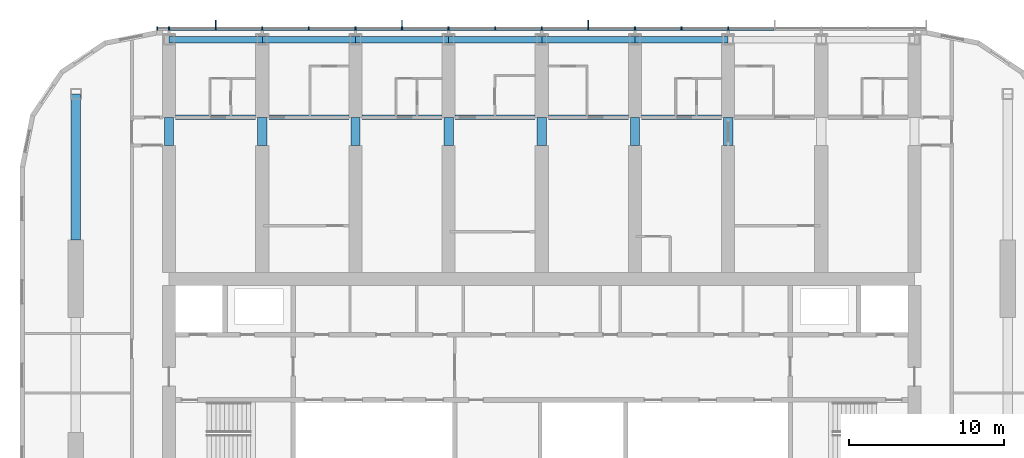
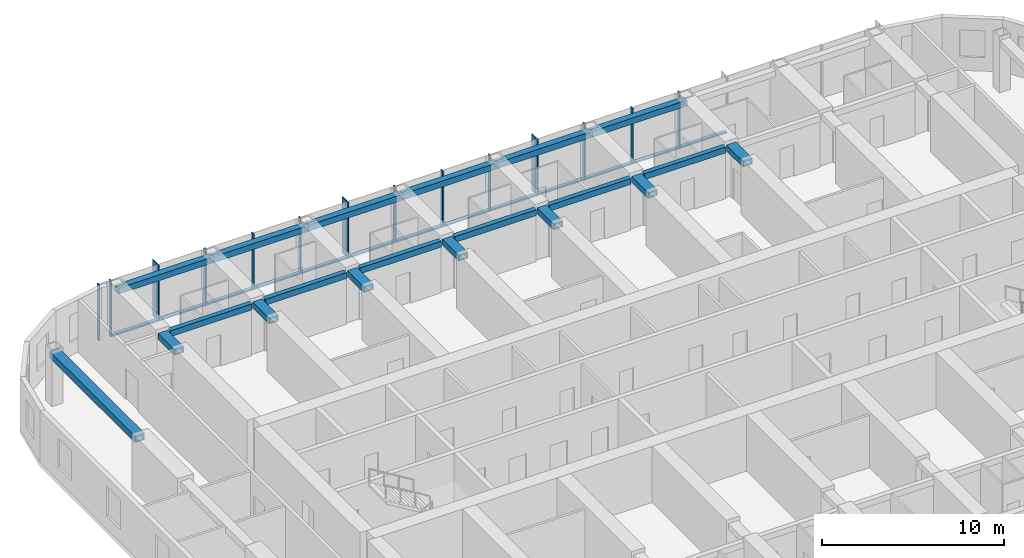
# One storey, part 4 of 22: 30 members, 20 beams, 1 element without a shape of its own.
"""IFC4 building model written with IfcOpenShell, lengths in metres."""

from ifc_helpers import new_model, si_unit, direction, frame, origin, origin_2d, place, context, subcontext, project, spatial, rectangle, hollow_rectangle, extrude, material, material_profile, profile_set, type_object, element, aggregate, save


model = new_model("IFC4")

# Units and contexts
model_context = context("Model", 3, precision=1e-05, world=origin(), true_north=direction((0.0, 1.0)))
body_context = subcontext(model_context, "Body", "Model", "MODEL_VIEW")
ifc_project = project(units=[si_unit("LENGTHUNIT", "METRE"), si_unit("AREAUNIT", "SQUARE_METRE"), si_unit("VOLUMEUNIT", "CUBIC_METRE"), si_unit("PLANEANGLEUNIT", "RADIAN"), si_unit("MASSUNIT", "GRAM", prefix="KILO")], contexts=[model_context])

# Site, building, storey
site_placement = place(None, origin())
site = spatial("IfcSite", under=ifc_project, at=site_placement, CompositionType="ELEMENT")
building_placement = place(site_placement, origin())
building = spatial("IfcBuilding", under=site, at=building_placement, Name="Orbita Commons", CompositionType="ELEMENT")
storey_placement = place(building_placement, frame((0.0, 0.0, 186.10009765625)))
storey = spatial("IfcBuildingStorey", under=building, at=storey_placement, Name="L46", CompositionType="ELEMENT", Elevation=186.10009765625)

# Curtain wall, members
ifc_material_1 = material(Name="Anodised aluminium frame, pale silver", Category="aluminium")
curtain_wall_type = type_object("IfcCurtainWallType", Name="Unitised curtain wall CW-U, full-height vision", PredefinedType="NOTDEFINED", material=ifc_material_1)
curtain_wall_placement = place(storey_placement, origin())
curtain_wall = element("IfcCurtainWall", 1, at=curtain_wall_placement, inside=storey, type_object=curtain_wall_type, Name="Curtain wall north L46", PredefinedType="NOTDEFINED")
ifc_material_2 = material(Name="Anodised aluminium, pale silver", Category="aluminium")
ifc_material_profile_1 = material_profile(ifc_material_2, rectangle(XDim=0.080078125, YDim=0.219970703125, at=origin_2d()), Name="AL 80x220")
ifc_profile_set_1 = profile_set([ifc_material_profile_1], Name="Anodised aluminium, pale silver")
member_type_1 = type_object("IfcMemberType", Name="Curtain wall mullion 80x220", PredefinedType="MULLION", material=ifc_profile_set_1)
member_1_placement = place(storey_placement, frame((54.0, 54.31005859375, -0.25), z_axis=(0.0, 0.0, 1.0), x_axis=(-1.0, 0.0, 0.0)))
member_1 = element("IfcMember", 2, at=member_1_placement, type_object=member_type_1, Name="Mullion 6 CW-L46-N", PredefinedType="MULLION", context=body_context, shape_type="SweptSolid", body=[
    extrude(rectangle(XDim=0.080078125, YDim=0.219970703125, at=origin_2d()), origin(), (0.0, 0.0, 1.0), 3.75),
])
member_2_placement = place(storey_placement, frame((51.0, 54.31005859375, -0.25), z_axis=(0.0, 0.0, 1.0), x_axis=(-1.0, 0.0, 0.0)))
member_2 = element("IfcMember", 3, at=member_2_placement, type_object=member_type_1, Name="Mullion 7 CW-L46-N", PredefinedType="MULLION", context=body_context, shape_type="SweptSolid", body=[
    extrude(rectangle(XDim=0.080078125, YDim=0.219970703125, at=origin_2d()), origin(), (0.0, 0.0, 1.0), 3.75),
])
member_3_placement = place(storey_placement, frame((48.0, 54.31005859375, -0.25), z_axis=(0.0, 0.0, 1.0), x_axis=(-1.0, 0.0, 0.0)))
member_3 = element("IfcMember", 4, at=member_3_placement, type_object=member_type_1, Name="Mullion 8 CW-L46-N", PredefinedType="MULLION", context=body_context, shape_type="SweptSolid", body=[
    extrude(rectangle(XDim=0.080078125, YDim=0.219970703125, at=origin_2d()), origin(), (0.0, 0.0, 1.0), 3.75),
])
member_4_placement = place(storey_placement, frame((45.0, 54.31005859375, -0.25), z_axis=(0.0, 0.0, 1.0), x_axis=(-1.0, 0.0, 0.0)))
member_4 = element("IfcMember", 5, at=member_4_placement, type_object=member_type_1, Name="Mullion 9 CW-L46-N", PredefinedType="MULLION", context=body_context, shape_type="SweptSolid", body=[
    extrude(rectangle(XDim=0.080078125, YDim=0.219970703125, at=origin_2d()), origin(), (0.0, 0.0, 1.0), 3.75),
])
member_5_placement = place(storey_placement, frame((42.0, 54.31005859375, -0.25), z_axis=(0.0, 0.0, 1.0), x_axis=(-1.0, 0.0, 0.0)))
member_5 = element("IfcMember", 6, at=member_5_placement, type_object=member_type_1, Name="Mullion 10 CW-L46-N", PredefinedType="MULLION", context=body_context, shape_type="SweptSolid", body=[
    extrude(rectangle(XDim=0.080078125, YDim=0.219970703125, at=origin_2d()), origin(), (0.0, 0.0, 1.0), 3.75),
])
member_6_placement = place(storey_placement, frame((39.0, 54.31005859375, -0.25), z_axis=(0.0, 0.0, 1.0), x_axis=(-1.0, 0.0, 0.0)))
member_6 = element("IfcMember", 7, at=member_6_placement, type_object=member_type_1, Name="Mullion 11 CW-L46-N", PredefinedType="MULLION", context=body_context, shape_type="SweptSolid", body=[
    extrude(rectangle(XDim=0.080078125, YDim=0.219970703125, at=origin_2d()), origin(), (0.0, 0.0, 1.0), 3.75),
])
member_7_placement = place(storey_placement, frame((36.0, 54.31005859375, -0.25), z_axis=(0.0, 0.0, 1.0), x_axis=(-1.0, 0.0, 0.0)))
member_7 = element("IfcMember", 8, at=member_7_placement, type_object=member_type_1, Name="Mullion 12 CW-L46-N", PredefinedType="MULLION", context=body_context, shape_type="SweptSolid", body=[
    extrude(rectangle(XDim=0.080078125, YDim=0.219970703125, at=origin_2d()), origin(), (0.0, 0.0, 1.0), 3.75),
])
member_8_placement = place(storey_placement, frame((33.0, 54.31005859375, -0.25), z_axis=(0.0, 0.0, 1.0), x_axis=(-1.0, 0.0, 0.0)))
member_8 = element("IfcMember", 9, at=member_8_placement, type_object=member_type_1, Name="Mullion 13 CW-L46-N", PredefinedType="MULLION", context=body_context, shape_type="SweptSolid", body=[
    extrude(rectangle(XDim=0.080078125, YDim=0.219970703125, at=origin_2d()), origin(), (0.0, 0.0, 1.0), 3.75),
])
member_9_placement = place(storey_placement, frame((30.0, 54.31005859375, -0.25), z_axis=(0.0, 0.0, 1.0), x_axis=(-1.0, 0.0, 0.0)))
member_9 = element("IfcMember", 10, at=member_9_placement, type_object=member_type_1, Name="Mullion 14 CW-L46-N", PredefinedType="MULLION", context=body_context, shape_type="SweptSolid", body=[
    extrude(rectangle(XDim=0.080078125, YDim=0.219970703125, at=origin_2d()), origin(), (0.0, 0.0, 1.0), 3.75),
])
member_10_placement = place(storey_placement, frame((27.0, 54.31005859375, -0.25), z_axis=(0.0, 0.0, 1.0), x_axis=(-1.0, 0.0, 0.0)))
member_10 = element("IfcMember", 11, at=member_10_placement, type_object=member_type_1, Name="Mullion 15 CW-L46-N", PredefinedType="MULLION", context=body_context, shape_type="SweptSolid", body=[
    extrude(rectangle(XDim=0.080078125, YDim=0.219970703125, at=origin_2d()), origin(), (0.0, 0.0, 1.0), 3.75),
])
member_11_placement = place(storey_placement, frame((24.0, 54.31005859375, -0.25), z_axis=(0.0, 0.0, 1.0), x_axis=(-1.0, 0.0, 0.0)))
member_11 = element("IfcMember", 12, at=member_11_placement, type_object=member_type_1, Name="Mullion 16 CW-L46-N", PredefinedType="MULLION", context=body_context, shape_type="SweptSolid", body=[
    extrude(rectangle(XDim=0.080078125, YDim=0.219970703125, at=origin_2d()), origin(), (0.0, 0.0, 1.0), 3.75),
])
member_12_placement = place(storey_placement, frame((21.0, 54.31005859375, -0.25), z_axis=(0.0, 0.0, 1.0), x_axis=(-1.0, 0.0, 0.0)))
member_12 = element("IfcMember", 13, at=member_12_placement, type_object=member_type_1, Name="Mullion 17 CW-L46-N", PredefinedType="MULLION", context=body_context, shape_type="SweptSolid", body=[
    extrude(rectangle(XDim=0.080078125, YDim=0.219970703125, at=origin_2d()), origin(), (0.0, 0.0, 1.0), 3.75),
])
member_13_placement = place(storey_placement, frame((18.0, 54.31005859375, -0.25), z_axis=(0.0, 0.0, 1.0), x_axis=(-1.0, 0.0, 0.0)))
member_13 = element("IfcMember", 14, at=member_13_placement, type_object=member_type_1, Name="Mullion 18 CW-L46-N", PredefinedType="MULLION", context=body_context, shape_type="SweptSolid", body=[
    extrude(rectangle(XDim=0.080078125, YDim=0.219970703125, at=origin_2d()), origin(), (0.0, 0.0, 1.0), 3.75),
])
member_14_placement = place(storey_placement, frame((17.239990234375, 54.31005859375, -0.25), z_axis=(0.0, 0.0, 1.0), x_axis=(-1.0, 0.0, 0.0)))
member_14 = element("IfcMember", 15, at=member_14_placement, type_object=member_type_1, Name="Mullion 19 CW-L46-N", PredefinedType="MULLION", context=body_context, shape_type="SweptSolid", body=[
    extrude(rectangle(XDim=0.080078125, YDim=0.219970703125, at=origin_2d()), origin(), (0.0, 0.0, 1.0), 3.75),
])
ifc_material_3 = material(Name="Anodised aluminium, pale silver", Category="aluminium")
ifc_material_profile_2 = material_profile(ifc_material_3, rectangle(XDim=0.219970703125, YDim=0.10009765625, at=origin_2d()), Name="AL 220x100")
ifc_profile_set_2 = profile_set([ifc_material_profile_2], Name="Anodised aluminium, pale silver")
member_type_2 = type_object("IfcMemberType", Name="Curtain wall stack transom 220x100", PredefinedType="USERDEFINED", material=ifc_profile_set_2)
member_15_placement = place(storey_placement, frame((56.9599609375, 54.31005859375, -0.2001953125), z_axis=(-1.0, 0.0, 0.0), x_axis=(0.0, -1.0, 0.0)))
member_15 = element("IfcMember", 16, at=member_15_placement, type_object=member_type_2, Name="Transom 5.1 CW-L46-N", ObjectType="TRANSOM", PredefinedType="USERDEFINED", context=body_context, shape_type="SweptSolid", body=[
    extrude(rectangle(XDim=0.219970703125, YDim=0.10009765625, at=origin_2d()), origin(), (0.0, 0.0, 1.0), 2.919921875),
])
member_16_placement = place(storey_placement, frame((53.9599609375, 54.31005859375, -0.2001953125), z_axis=(-1.0, 0.0, 0.0), x_axis=(0.0, -1.0, 0.0)))
member_16 = element("IfcMember", 17, at=member_16_placement, type_object=member_type_2, Name="Transom 6.1 CW-L46-N", ObjectType="TRANSOM", PredefinedType="USERDEFINED", context=body_context, shape_type="SweptSolid", body=[
    extrude(rectangle(XDim=0.219970703125, YDim=0.10009765625, at=origin_2d()), origin(), (0.0, 0.0, 1.0), 2.919921875),
])
member_17_placement = place(storey_placement, frame((50.9599609375, 54.31005859375, -0.2001953125), z_axis=(-1.0, 0.0, 0.0), x_axis=(0.0, -1.0, 0.0)))
member_17 = element("IfcMember", 18, at=member_17_placement, type_object=member_type_2, Name="Transom 7.1 CW-L46-N", ObjectType="TRANSOM", PredefinedType="USERDEFINED", context=body_context, shape_type="SweptSolid", body=[
    extrude(rectangle(XDim=0.219970703125, YDim=0.10009765625, at=origin_2d()), origin(), (0.0, 0.0, 1.0), 2.919921875),
])
member_18_placement = place(storey_placement, frame((47.9599609375, 54.31005859375, -0.2001953125), z_axis=(-1.0, 0.0, 0.0), x_axis=(0.0, -1.0, 0.0)))
member_18 = element("IfcMember", 19, at=member_18_placement, type_object=member_type_2, Name="Transom 8.1 CW-L46-N", ObjectType="TRANSOM", PredefinedType="USERDEFINED", context=body_context, shape_type="SweptSolid", body=[
    extrude(rectangle(XDim=0.219970703125, YDim=0.10009765625, at=origin_2d()), origin(), (0.0, 0.0, 1.0), 2.919921875),
])
member_19_placement = place(storey_placement, frame((44.9599609375, 54.31005859375, -0.2001953125), z_axis=(-1.0, 0.0, 0.0), x_axis=(0.0, -1.0, 0.0)))
member_19 = element("IfcMember", 20, at=member_19_placement, type_object=member_type_2, Name="Transom 9.1 CW-L46-N", ObjectType="TRANSOM", PredefinedType="USERDEFINED", context=body_context, shape_type="SweptSolid", body=[
    extrude(rectangle(XDim=0.219970703125, YDim=0.10009765625, at=origin_2d()), origin(), (0.0, 0.0, 1.0), 2.919921875),
])
member_20_placement = place(storey_placement, frame((41.9599609375, 54.31005859375, -0.2001953125), z_axis=(-1.0, 0.0, 0.0), x_axis=(0.0, -1.0, 0.0)))
member_20 = element("IfcMember", 21, at=member_20_placement, type_object=member_type_2, Name="Transom 10.1 CW-L46-N", ObjectType="TRANSOM", PredefinedType="USERDEFINED", context=body_context, shape_type="SweptSolid", body=[
    extrude(rectangle(XDim=0.219970703125, YDim=0.10009765625, at=origin_2d()), origin(), (0.0, 0.0, 1.0), 2.919921875),
])
member_21_placement = place(storey_placement, frame((38.9599609375, 54.31005859375, -0.2001953125), z_axis=(-1.0, 0.0, 0.0), x_axis=(0.0, -1.0, 0.0)))
member_21 = element("IfcMember", 22, at=member_21_placement, type_object=member_type_2, Name="Transom 11.1 CW-L46-N", ObjectType="TRANSOM", PredefinedType="USERDEFINED", context=body_context, shape_type="SweptSolid", body=[
    extrude(rectangle(XDim=0.219970703125, YDim=0.10009765625, at=origin_2d()), origin(), (0.0, 0.0, 1.0), 2.919921875),
])
member_22_placement = place(storey_placement, frame((35.9599609375, 54.31005859375, -0.2001953125), z_axis=(-1.0, 0.0, 0.0), x_axis=(0.0, -1.0, 0.0)))
member_22 = element("IfcMember", 23, at=member_22_placement, type_object=member_type_2, Name="Transom 12.1 CW-L46-N", ObjectType="TRANSOM", PredefinedType="USERDEFINED", context=body_context, shape_type="SweptSolid", body=[
    extrude(rectangle(XDim=0.219970703125, YDim=0.10009765625, at=origin_2d()), origin(), (0.0, 0.0, 1.0), 2.919921875),
])
member_23_placement = place(storey_placement, frame((32.9599609375, 54.31005859375, -0.2001953125), z_axis=(-1.0, 0.0, 0.0), x_axis=(0.0, -1.0, 0.0)))
member_23 = element("IfcMember", 24, at=member_23_placement, type_object=member_type_2, Name="Transom 13.1 CW-L46-N", ObjectType="TRANSOM", PredefinedType="USERDEFINED", context=body_context, shape_type="SweptSolid", body=[
    extrude(rectangle(XDim=0.219970703125, YDim=0.10009765625, at=origin_2d()), origin(), (0.0, 0.0, 1.0), 2.919921875),
])
member_24_placement = place(storey_placement, frame((29.9599609375, 54.31005859375, -0.2001953125), z_axis=(-1.0, 0.0, 0.0), x_axis=(0.0, -1.0, 0.0)))
member_24 = element("IfcMember", 25, at=member_24_placement, type_object=member_type_2, Name="Transom 14.1 CW-L46-N", ObjectType="TRANSOM", PredefinedType="USERDEFINED", context=body_context, shape_type="SweptSolid", body=[
    extrude(rectangle(XDim=0.219970703125, YDim=0.10009765625, at=origin_2d()), origin(), (0.0, 0.0, 1.0), 2.919921875),
])
member_25_placement = place(storey_placement, frame((26.9599609375, 54.31005859375, -0.2001953125), z_axis=(-1.0, 0.0, 0.0), x_axis=(0.0, -1.0, 0.0)))
member_25 = element("IfcMember", 26, at=member_25_placement, type_object=member_type_2, Name="Transom 15.1 CW-L46-N", ObjectType="TRANSOM", PredefinedType="USERDEFINED", context=body_context, shape_type="SweptSolid", body=[
    extrude(rectangle(XDim=0.219970703125, YDim=0.10009765625, at=origin_2d()), origin(), (0.0, 0.0, 1.0), 2.919921875),
])
member_26_placement = place(storey_placement, frame((23.9599609375, 54.31005859375, -0.2001953125), z_axis=(-1.0, 0.0, 0.0), x_axis=(0.0, -1.0, 0.0)))
member_26 = element("IfcMember", 27, at=member_26_placement, type_object=member_type_2, Name="Transom 16.1 CW-L46-N", ObjectType="TRANSOM", PredefinedType="USERDEFINED", context=body_context, shape_type="SweptSolid", body=[
    extrude(rectangle(XDim=0.219970703125, YDim=0.10009765625, at=origin_2d()), origin(), (0.0, 0.0, 1.0), 2.919921875),
])
member_27_placement = place(storey_placement, frame((20.9599609375, 54.31005859375, -0.2001953125), z_axis=(-1.0, 0.0, 0.0), x_axis=(0.0, -1.0, 0.0)))
member_27 = element("IfcMember", 28, at=member_27_placement, type_object=member_type_2, Name="Transom 17.1 CW-L46-N", ObjectType="TRANSOM", PredefinedType="USERDEFINED", context=body_context, shape_type="SweptSolid", body=[
    extrude(rectangle(XDim=0.219970703125, YDim=0.10009765625, at=origin_2d()), origin(), (0.0, 0.0, 1.0), 2.919921875),
])

# Beams
ifc_material_4 = material(Name="Steel ASTM A572 Gr 50 welded plate", Category="steel")
ifc_material_profile_3 = material_profile(ifc_material_4, hollow_rectangle(XDim=0.300048828125, YDim=0.39990234375, WallThickness=0.0400390625, at=origin_2d()), Name="BOX 400x300x40")
ifc_profile_set_3 = profile_set([ifc_material_profile_3], Name="Steel ASTM A572 Gr 50 welded plate")
beam_type_1 = type_object("IfcBeamType", Name="Steel corridor link BOX 400x300x40", PredefinedType="BEAM", material=ifc_profile_set_3)
for number, where, z_axis, x_axis, name in (
    (29, (18.425048828125, 48.60009765625, 3.2998046875), (1.0, 0.0, 0.0), (0.0, 1.0, 0.0), "Corridor beam NB 4-5 L46"),
    (30, (24.425048828125, 48.60009765625, 3.2998046875), (1.0, 0.0, 0.0), (0.0, 1.0, 0.0), "Corridor beam NB 5-6 L46"),
    (31, (30.425048828125, 48.60009765625, 3.2998046875), (1.0, 0.0, 0.0), (0.0, 1.0, 0.0), "Corridor beam NB 6-7 L46"),
    (32, (36.425048828125, 48.60009765625, 3.2998046875), (1.0, 0.0, 0.0), (0.0, 1.0, 0.0), "Corridor beam NB 7-8 L46"),
    (33, (42.425048828125, 48.60009765625, 3.2998046875), (1.0, 0.0, 0.0), (0.0, 1.0, 0.0), "Corridor beam NB 8-9 L46"),
    (34, (48.425048828125, 48.60009765625, 3.2998046875), (1.0, 0.0, 0.0), (0.0, 1.0, 0.0), "Corridor beam NB 9-10 L46"),
):
    element("IfcBeam", number, at=place(storey_placement, frame(where, z_axis=z_axis, x_axis=x_axis)), inside=storey, type_object=beam_type_1, Name=name, PredefinedType="BEAM", context=body_context, shape_type="SweptSolid", body=[
        extrude(hollow_rectangle(XDim=0.300048828125, YDim=0.39990234375, WallThickness=0.0400390625, at=origin_2d()), origin(), (0.0, 0.0, 1.0), 5.14990234375),
    ])
ifc_material_5 = material(Name="Steel ASTM A572 Gr 50 welded plate", Category="steel")
ifc_material_profile_4 = material_profile(ifc_material_5, hollow_rectangle(XDim=0.60009765625, YDim=0.39990234375, WallThickness=0.050048828125, at=origin_2d()), Name="BOX 400x600x50")
ifc_profile_set_4 = profile_set([ifc_material_profile_4], Name="Steel ASTM A572 Gr 50 welded plate")
beam_type_2 = type_object("IfcBeamType", Name="Steel coupling link BOX 400x600x50", PredefinedType="LINTEL", material=ifc_profile_set_4)
for number, where, z_axis, x_axis, name in (
    (35, (18.0, 46.800048828125, 3.2998046875), (0.0, 1.0, 0.0), (-1.0, 0.0, 0.0), "Coupling beam 4 north L46"),
    (36, (24.0, 46.800048828125, 3.2998046875), (0.0, 1.0, 0.0), (-1.0, 0.0, 0.0), "Coupling beam 5 north L46"),
    (37, (30.0, 46.800048828125, 3.2998046875), (0.0, 1.0, 0.0), (-1.0, 0.0, 0.0), "Coupling beam 6 north L46"),
    (38, (36.0, 46.800048828125, 3.2998046875), (0.0, 1.0, 0.0), (-1.0, 0.0, 0.0), "Coupling beam 7 north L46"),
    (39, (42.0, 46.800048828125, 3.2998046875), (0.0, 1.0, 0.0), (-1.0, 0.0, 0.0), "Coupling beam 8 north L46"),
    (40, (48.0, 46.800048828125, 3.2998046875), (0.0, 1.0, 0.0), (-1.0, 0.0, 0.0), "Coupling beam 9 north L46"),
    (41, (54.0, 46.800048828125, 3.2998046875), (0.0, 1.0, 0.0), (-1.0, 0.0, 0.0), "Coupling beam 10 north L46"),
):
    element("IfcBeam", number, at=place(storey_placement, frame(where, z_axis=z_axis, x_axis=x_axis)), inside=storey, type_object=beam_type_2, Name=name, PredefinedType="LINTEL", context=body_context, shape_type="SweptSolid", body=[
        extrude(hollow_rectangle(XDim=0.60009765625, YDim=0.39990234375, WallThickness=0.050048828125, at=origin_2d()), origin(), (0.0, 0.0, 1.0), 1.800048828125),
    ])
ifc_material_6 = material(Name="Steel ASTM A572 Gr 50 welded plate", Category="steel")
ifc_material_profile_5 = material_profile(ifc_material_6, hollow_rectangle(XDim=0.60009765625, YDim=0.449951171875, WallThickness=0.06005859375, at=origin_2d()), Name="BOX 450x600x60")
ifc_profile_set_5 = profile_set([ifc_material_profile_5], Name="Steel ASTM A572 Gr 50 welded plate")
beam_type_3 = type_object("IfcBeamType", Name="Steel end frame link BOX 450x600x60", PredefinedType="BEAM", material=ifc_profile_set_5)
beam_placement = place(storey_placement, frame((12.0, 40.699951171875, 3.27490234375), z_axis=(0.0, 1.0, 0.0), x_axis=(-1.0, 0.0, 0.0)))
element("IfcBeam", 42, at=beam_placement, inside=storey, type_object=beam_type_3, Name="End frame beam 3 D-E L46", PredefinedType="BEAM", context=body_context, shape_type="SweptSolid", body=[
    extrude(hollow_rectangle(XDim=0.60009765625, YDim=0.449951171875, WallThickness=0.06005859375, at=origin_2d()), origin(), (0.0, 0.0, 1.0), 9.400146484375),
])
ifc_material_7 = material(Name="Steel ASTM A572 Gr 50 welded plate", Category="steel")
ifc_material_profile_6 = material_profile(ifc_material_7, hollow_rectangle(XDim=0.39990234375, YDim=0.39990234375, WallThickness=0.0400390625, at=origin_2d()), Name="BOX 400x400x40")
ifc_profile_set_6 = profile_set([ifc_material_profile_6], Name="Steel ASTM A572 Gr 50 welded plate")
beam_type_4 = type_object("IfcBeamType", Name="Steel spandrel BOX 400x400x40", PredefinedType="SPANDREL", material=ifc_profile_set_6)
for number, where, z_axis, x_axis, name in (
    (43, (18.0, 53.60009765625, 3.2998046875), (1.0, 0.0, 0.0), (0.0, 1.0, 0.0), "Spandrel beam E 4-5 L46"),
    (44, (24.0, 53.60009765625, 3.2998046875), (1.0, 0.0, 0.0), (0.0, 1.0, 0.0), "Spandrel beam E 5-6 L46"),
    (45, (30.0, 53.60009765625, 3.2998046875), (1.0, 0.0, 0.0), (0.0, 1.0, 0.0), "Spandrel beam E 6-7 L46"),
    (46, (36.0, 53.60009765625, 3.2998046875), (1.0, 0.0, 0.0), (0.0, 1.0, 0.0), "Spandrel beam E 7-8 L46"),
    (47, (42.0, 53.60009765625, 3.2998046875), (1.0, 0.0, 0.0), (0.0, 1.0, 0.0), "Spandrel beam E 8-9 L46"),
    (48, (48.0, 53.60009765625, 3.2998046875), (1.0, 0.0, 0.0), (0.0, 1.0, 0.0), "Spandrel beam E 9-10 L46"),
):
    element("IfcBeam", number, at=place(storey_placement, frame(where, z_axis=z_axis, x_axis=x_axis)), inside=storey, type_object=beam_type_4, Name=name, PredefinedType="SPANDREL", context=body_context, shape_type="SweptSolid", body=[
        extrude(hollow_rectangle(XDim=0.39990234375, YDim=0.39990234375, WallThickness=0.0400390625, at=origin_2d()), origin(), (0.0, 0.0, 1.0), 6.0),
    ])

# Member
ifc_material_8 = material(Name="Anodised aluminium, pale silver", Category="aluminium")
ifc_material_profile_7 = material_profile(ifc_material_8, rectangle(XDim=0.06005859375, YDim=0.449951171875, at=origin_2d()), Name="FIN 60x450")
ifc_profile_set_7 = profile_set([ifc_material_profile_7], Name="Anodised aluminium, pale silver")
member_type_3 = type_object("IfcMemberType", Name="Vertical fin 60x450 pale aluminium", PredefinedType="USERDEFINED", material=ifc_profile_set_7)
member_28_placement = place(storey_placement, frame((45.0, 54.64501953125, -0.25), z_axis=(0.0, 0.0, 1.0), x_axis=(-1.0, 0.0, 0.0)))
member_28 = element("IfcMember", 49, at=member_28_placement, type_object=member_type_3, Name="Fin 9 CW-L46-N", ObjectType="FIN", PredefinedType="USERDEFINED", context=body_context, shape_type="SweptSolid", body=[
    extrude(rectangle(XDim=0.06005859375, YDim=0.449951171875, at=origin_2d()), origin(), (0.0, 0.0, 1.0), 3.75),
])

member_29_placement = place(storey_placement, frame((33.0, 54.64501953125, -0.25), z_axis=(0.0, 0.0, 1.0), x_axis=(-1.0, 0.0, 0.0)))
member_29 = element("IfcMember", 50, at=member_29_placement, type_object=member_type_3, Name="Fin 13 CW-L46-N", ObjectType="FIN", PredefinedType="USERDEFINED", context=body_context, shape_type="SweptSolid", body=[
    extrude(rectangle(XDim=0.06005859375, YDim=0.449951171875, at=origin_2d()), origin(), (0.0, 0.0, 1.0), 3.75),
])

member_30_placement = place(storey_placement, frame((21.0, 54.64501953125, -0.25), z_axis=(0.0, 0.0, 1.0), x_axis=(-1.0, 0.0, 0.0)))
member_30 = element("IfcMember", 51, at=member_30_placement, type_object=member_type_3, Name="Fin 17 CW-L46-N", ObjectType="FIN", PredefinedType="USERDEFINED", context=body_context, shape_type="SweptSolid", body=[
    extrude(rectangle(XDim=0.06005859375, YDim=0.449951171875, at=origin_2d()), origin(), (0.0, 0.0, 1.0), 3.75),
])

aggregate(curtain_wall, [member_1, member_2, member_3, member_4, member_28, member_5, member_6, member_7, member_8, member_29, member_9, member_10, member_11, member_12, member_30, member_13, member_14, member_15, member_16, member_17, member_18, member_19, member_20, member_21, member_22, member_23, member_24, member_25, member_26, member_27])

save(model, "model.ifc")
